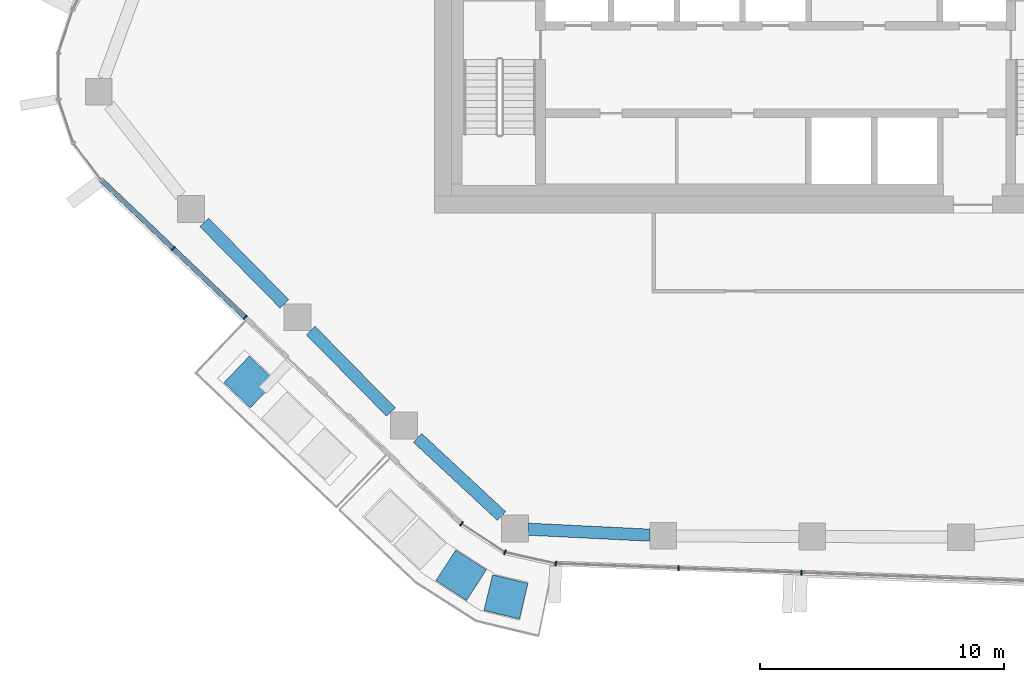
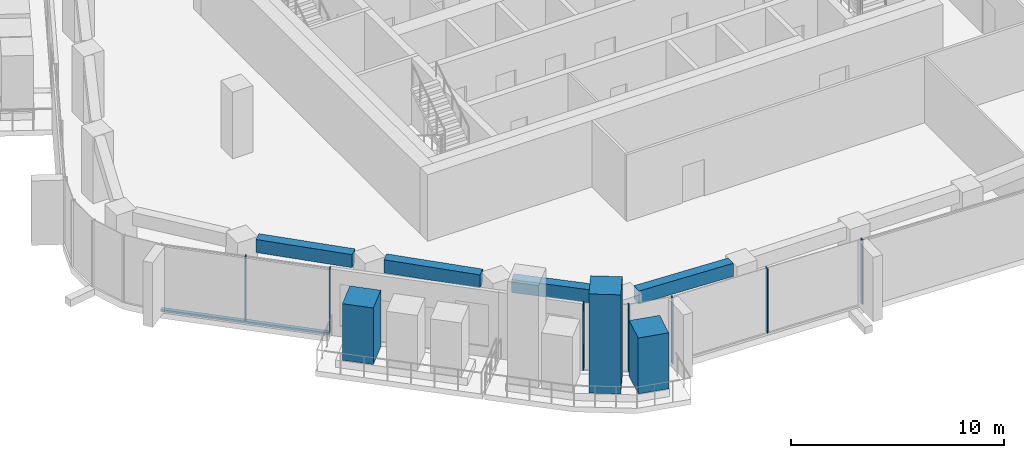
# One storey, part 2 of 21: 11 members, 4 beams, 3 elements without a shape of their own.
"""IFC4 building model written with IfcOpenShell, lengths in metres."""

from ifc_helpers import new_model, si_unit, direction, frame, origin, origin_2d, place, context, subcontext, project, spatial, rectangle, extrude, material, layer, layer_set, material_profile, profile_set, type_object, element, aggregate, save


model = new_model("IFC4")

# Units and contexts
model_context = context("Model", 3, precision=1e-05, world=origin(), true_north=direction((0.0, 1.0)))
body_context = subcontext(model_context, "Body", "Model", "MODEL_VIEW")
ifc_project = project(units=[si_unit("LENGTHUNIT", "METRE"), si_unit("AREAUNIT", "SQUARE_METRE"), si_unit("VOLUMEUNIT", "CUBIC_METRE"), si_unit("PLANEANGLEUNIT", "RADIAN"), si_unit("MASSUNIT", "GRAM", prefix="KILO")], contexts=[model_context])

# Site, building, storey
site_placement = place(None, origin())
site = spatial("IfcSite", under=ifc_project, at=site_placement, CompositionType="ELEMENT")
building_placement = place(site_placement, origin())
building = spatial("IfcBuilding", under=site, at=building_placement, Name="Dongbaek Canopy Tower", CompositionType="ELEMENT")
storey_placement = place(building_placement, frame((0.0, 0.0, 274.800048828125)))
storey = spatial("IfcBuildingStorey", under=building, at=storey_placement, Name="L58", CompositionType="ELEMENT", Elevation=274.800048828125)

# Curtain wall, members
ifc_material_1 = material(Name="Aluminium 6063-T6 pale anodised", Category="aluminium")
ifc_layer = layer(ifc_material_1, 0.199951171875)
ifc_layer_set = layer_set([ifc_layer], Name="CW-1 unitised tower curtain wall")
curtain_wall_type = type_object("IfcCurtainWallType", Name="CW-1 unitised tower curtain wall", PredefinedType="NOTDEFINED", material=ifc_layer_set)
curtain_wall_1_placement = place(storey_placement, origin())
curtain_wall_1 = element("IfcCurtainWall", 1, at=curtain_wall_1_placement, inside=storey, type_object=curtain_wall_type, Name="CW-1 curtain wall F3.1", PredefinedType="NOTDEFINED")
ifc_material_2 = material(Name="Aluminium 6063-T6 pale anodised", Category="aluminium")
ifc_material_profile_1 = material_profile(ifc_material_2, rectangle(XDim=0.199951171875, YDim=0.06005859375, at=origin_2d()), Name="CW-1 mullion 60 x 200")
ifc_profile_set_1 = profile_set([ifc_material_profile_1], Name="Aluminium 6063-T6 pale anodised")
member_type_1 = type_object("IfcMemberType", Name="CW-1 mullion 60 x 200", PredefinedType="MULLION", material=ifc_profile_set_1)
member_1_placement = place(storey_placement, frame((-24.727294921875, -12.45458984375, 0.119873046875), z_axis=(0.0, 0.0, 1.0), x_axis=(-0.690481624386, -0.723349933562, 0.0)))
member_1 = element("IfcMember", 2, at=member_1_placement, type_object=member_type_1, Name="CW-1 mullion F3.1.2", PredefinedType="MULLION", context=body_context, shape_type="SweptSolid", body=[
    extrude(rectangle(XDim=0.199951171875, YDim=0.06005859375, at=origin_2d()), origin(), (0.0, 0.0, 1.0), 3.7001953125),
])
member_2_placement = place(storey_placement, frame((-21.767333984375, -15.2802734375, 0.119873046875), z_axis=(0.0, 0.0, 1.0), x_axis=(-0.690481624386, -0.723349933562, 0.0)))
member_2 = element("IfcMember", 3, at=member_2_placement, type_object=member_type_1, Name="CW-1 mullion F3.1.3", PredefinedType="MULLION", context=body_context, shape_type="SweptSolid", body=[
    extrude(rectangle(XDim=0.199951171875, YDim=0.06005859375, at=origin_2d()), origin(), (0.0, 0.0, 1.0), 3.7001953125),
])

curtain_wall_2_placement = place(storey_placement, origin())
curtain_wall_2 = element("IfcCurtainWall", 4, at=curtain_wall_2_placement, inside=storey, type_object=curtain_wall_type, Name="CW-1 curtain wall K4.1", PredefinedType="NOTDEFINED")
member_3_placement = place(storey_placement, frame((-12.8935546875, -23.750732421875, 0.0), z_axis=(0.0, 0.0, 1.0), x_axis=(-0.548723498624, -0.836003900743, 0.0)))
member_3 = element("IfcMember", 5, at=member_3_placement, type_object=member_type_1, Name="CW-1 mullion K4.1.1", PredefinedType="MULLION", context=body_context, shape_type="SweptSolid", body=[
    extrude(rectangle(XDim=0.199951171875, YDim=0.06005859375, at=origin_2d()), origin(), (0.0, 0.0, 1.0), 3.820068359375),
])
member_4_placement = place(storey_placement, frame((-11.107421875, -24.923095703125, 0.0), z_axis=(0.0, 0.0, 1.0), x_axis=(-0.388974769199, -0.921248407828, 0.0)))
member_4 = element("IfcMember", 6, at=member_4_placement, type_object=member_type_1, Name="CW-1 mullion K4.1.2", PredefinedType="MULLION", context=body_context, shape_type="SweptSolid", body=[
    extrude(rectangle(XDim=0.199951171875, YDim=0.06005859375, at=origin_2d()), origin(), (0.0, 0.0, 1.0), 3.820068359375),
])
member_5_placement = place(storey_placement, frame((-9.021484375, -25.385498046875, 0.0), z_axis=(0.0, 0.0, 1.0), x_axis=(-0.216473003073, -0.976288604328, 0.0)))
member_5 = element("IfcMember", 7, at=member_5_placement, type_object=member_type_1, Name="CW-1 mullion K4.1.3", PredefinedType="MULLION", context=body_context, shape_type="SweptSolid", body=[
    extrude(rectangle(XDim=0.199951171875, YDim=0.06005859375, at=origin_2d()), origin(), (0.0, 0.0, 1.0), 3.820068359375),
])
aggregate(curtain_wall_2, [member_3, member_4, member_5])

curtain_wall_3_placement = place(storey_placement, origin())
curtain_wall_3 = element("IfcCurtainWall", 8, at=curtain_wall_3_placement, inside=storey, type_object=curtain_wall_type, Name="CW-1 curtain wall F4.1", PredefinedType="NOTDEFINED")
member_6_placement = place(storey_placement, frame((-3.981689453125, -25.571533203125, 0.119873046875), z_axis=(0.0, 0.0, 1.0), x_axis=(-0.036873891921, -0.999319926798, 0.0)))
member_6 = element("IfcMember", 9, at=member_6_placement, type_object=member_type_1, Name="CW-1 mullion F4.1.2", PredefinedType="MULLION", context=body_context, shape_type="SweptSolid", body=[
    extrude(rectangle(XDim=0.199951171875, YDim=0.06005859375, at=origin_2d()), origin(), (0.0, 0.0, 1.0), 3.7001953125),
])
member_7_placement = place(storey_placement, frame((1.067138671875, -25.7578125, 0.119873046875), z_axis=(0.0, 0.0, 1.0), x_axis=(-0.036873891921, -0.999319926798, 0.0)))
member_7 = element("IfcMember", 10, at=member_7_placement, type_object=member_type_1, Name="CW-1 mullion F4.1.3", PredefinedType="MULLION", context=body_context, shape_type="SweptSolid", body=[
    extrude(rectangle(XDim=0.199951171875, YDim=0.06005859375, at=origin_2d()), origin(), (0.0, 0.0, 1.0), 3.7001953125),
])
aggregate(curtain_wall_3, [member_6, member_7])

# Member
ifc_material_3 = material(Name="Aluminium 6063-T6 pale anodised", Category="aluminium")
ifc_material_profile_2 = material_profile(ifc_material_3, rectangle(XDim=0.199951171875, YDim=0.1201171875, at=origin_2d()), Name="CW-1 transom 120 x 200")
ifc_profile_set_2 = profile_set([ifc_material_profile_2], Name="Aluminium 6063-T6 pale anodised")
member_type_2 = type_object("IfcMemberType", Name="CW-1 transom 120 x 200", PredefinedType="USERDEFINED", material=ifc_profile_set_2)
member_8_placement = place(storey_placement, frame((-27.681640625, -9.634521484375, 0.06005859375), z_axis=(0.723338596824, -0.690493500581, 0.0), x_axis=(0.690493500581, 0.723338596824, 0.0)))
member_8 = element("IfcMember", 11, at=member_8_placement, type_object=member_type_2, Name="CW-1 transom F3.1.1", ObjectType="TRANSOM", PredefinedType="USERDEFINED", context=body_context, shape_type="SweptSolid", body=[
    extrude(rectangle(XDim=0.199951171875, YDim=0.1201171875, at=origin_2d()), origin(), (0.0, 0.0, 1.0), 8.176513671875),
])

aggregate(curtain_wall_1, [member_1, member_2, member_8])

# Beams
ifc_material_4 = material(Name="Concrete C70", Category="concrete")
ifc_material_profile_3 = material_profile(ifc_material_4, rectangle(XDim=0.5, YDim=0.75, at=origin_2d()), Name="RC EDGE BEAM 500x750 C70")
ifc_profile_set_3 = profile_set([ifc_material_profile_3], Name="Concrete C70")
beam_type = type_object("IfcBeamType", Name="RC EDGE BEAM 500x750 C70", PredefinedType="BEAM", material=ifc_profile_set_3)
beam_1_placement = place(storey_placement, frame((-5.160888671875, -24.218994140625, 3.445068359375), z_axis=(-0.998786614333, 0.049247325106, 0.0), x_axis=(-0.049247325106, -0.998786614333, 0.0)))
element("IfcBeam", 12, at=beam_1_placement, inside=storey, type_object=beam_type, Name="EDGEBEAM:L58:03", PredefinedType="BEAM", context=body_context, shape_type="SweptSolid", body=[
    extrude(rectangle(XDim=0.5, YDim=0.75, at=origin_2d()), origin(), (0.0, 0.0, 1.0), 4.9921875),
])
beam_2_placement = place(storey_placement, frame((-11.2470703125, -23.434326171875, 3.445068359375), z_axis=(-0.732241423494, 0.681045151014, 0.0), x_axis=(-0.681045151014, -0.732241423494, 0.0)))
element("IfcBeam", 13, at=beam_2_placement, inside=storey, type_object=beam_type, Name="EDGEBEAM:L58:04", PredefinedType="BEAM", context=body_context, shape_type="SweptSolid", body=[
    extrude(rectangle(XDim=0.5, YDim=0.75, at=origin_2d()), origin(), (0.0, 0.0, 1.0), 4.71142578125),
])
beam_3_placement = place(storey_placement, frame((-15.788818359375, -19.1640625, 3.445068359375), z_axis=(-0.701699383964, 0.712473139525, 0.0), x_axis=(-0.712473139525, -0.701699383964, 0.0)))
element("IfcBeam", 14, at=beam_3_placement, inside=storey, type_object=beam_type, Name="EDGEBEAM:L58:05", PredefinedType="BEAM", context=body_context, shape_type="SweptSolid", body=[
    extrude(rectangle(XDim=0.5, YDim=0.75, at=origin_2d()), origin(), (0.0, 0.0, 1.0), 4.690673828125),
])
beam_4_placement = place(storey_placement, frame((-20.16357421875, -14.721923828125, 3.445068359375), z_axis=(-0.701621732034, 0.712549608896, 0.0), x_axis=(-0.712549608896, -0.701621732034, 0.0)))
element("IfcBeam", 15, at=beam_4_placement, inside=storey, type_object=beam_type, Name="EDGEBEAM:L58:06", PredefinedType="BEAM", context=body_context, shape_type="SweptSolid", body=[
    extrude(rectangle(XDim=0.5, YDim=0.75, at=origin_2d()), origin(), (0.0, 0.0, 1.0), 4.691650390625),
])

# Members
ifc_material_5 = material(Name="Concrete C40/50 planter mass with planting", Category="concrete")
ifc_material_profile_4 = material_profile(ifc_material_5, rectangle(XDim=1.5, YDim=1.5, at=origin_2d()), Name="Terrace PLANTER shrub mass 1500 x 1500")
ifc_profile_set_4 = profile_set([ifc_material_profile_4], Name="Concrete C40/50 planter mass with planting")
member_type_3 = type_object("IfcMemberType", Name="Terrace PLANTER shrub mass 1500 x 1500", PredefinedType="USERDEFINED", material=ifc_profile_set_4)
member_9_placement = place(storey_placement, frame((-21.58251953125, -17.93115234375, 0.419921875), z_axis=(0.0, 0.0, 1.0), x_axis=(-0.690481624386, -0.723349933562, 0.0)))
element("IfcMember", 16, at=member_9_placement, inside=storey, type_object=member_type_3, Name="Planter shrubs L58 2.1", ObjectType="PLANTER", PredefinedType="USERDEFINED", context=body_context, shape_type="SweptSolid", body=[
    extrude(rectangle(XDim=1.5, YDim=1.5, at=origin_2d()), origin(), (0.0, 0.0, 1.0), 3.25),
])
member_10_placement = place(storey_placement, frame((-12.906005859375, -25.863037109375, 0.419921875), z_axis=(0.0, 0.0, 1.0), x_axis=(-0.542085208998, -0.840323524713, 0.0)))
element("IfcMember", 17, at=member_10_placement, inside=storey, type_object=member_type_3, Name="Planter tree L58 6.3", ObjectType="PLANTER", PredefinedType="USERDEFINED", context=body_context, shape_type="SweptSolid", body=[
    extrude(rectangle(XDim=1.5, YDim=1.5, at=origin_2d()), origin(), (0.0, 0.0, 1.0), 5.68994140625),
])
member_11_placement = place(storey_placement, frame((-11.06591796875, -26.75146484375, 0.419921875), z_axis=(0.0, 0.0, 1.0), x_axis=(-0.234244066355, -0.972177821891, 0.0)))
element("IfcMember", 18, at=member_11_placement, inside=storey, type_object=member_type_3, Name="Planter shrubs L58 6.4", ObjectType="PLANTER", PredefinedType="USERDEFINED", context=body_context, shape_type="SweptSolid", body=[
    extrude(rectangle(XDim=1.5, YDim=1.5, at=origin_2d()), origin(), (0.0, 0.0, 1.0), 3.2099609375),
])

save(model, "model.ifc")
